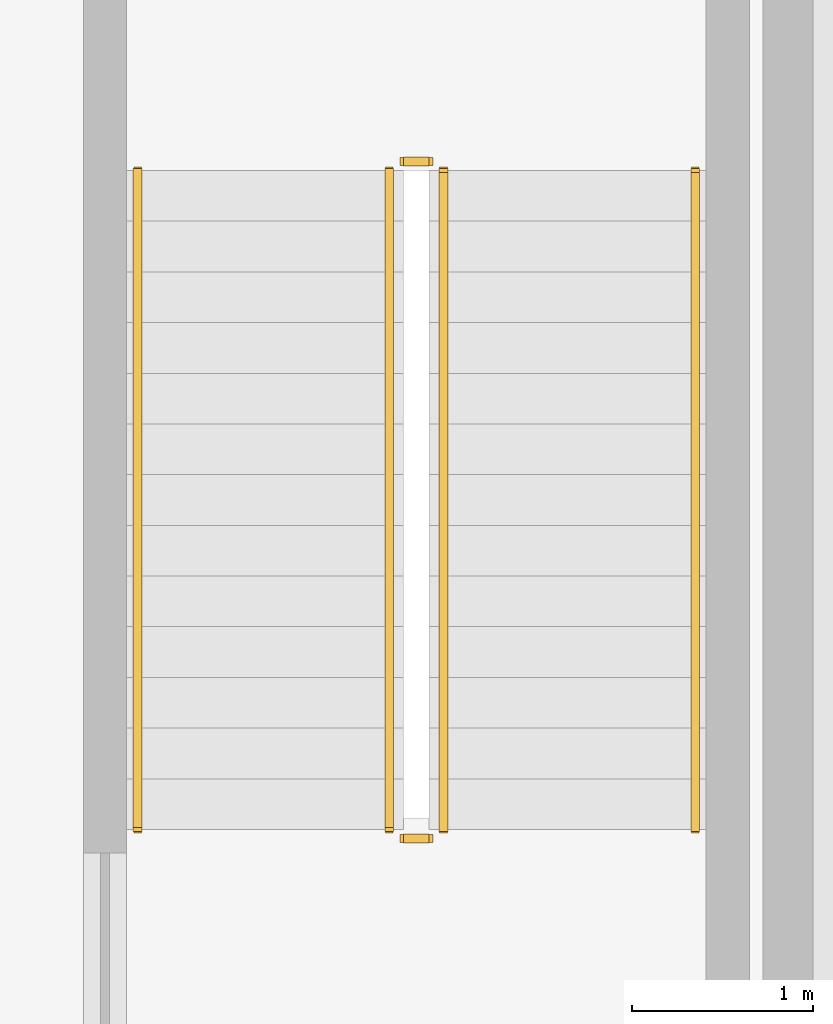
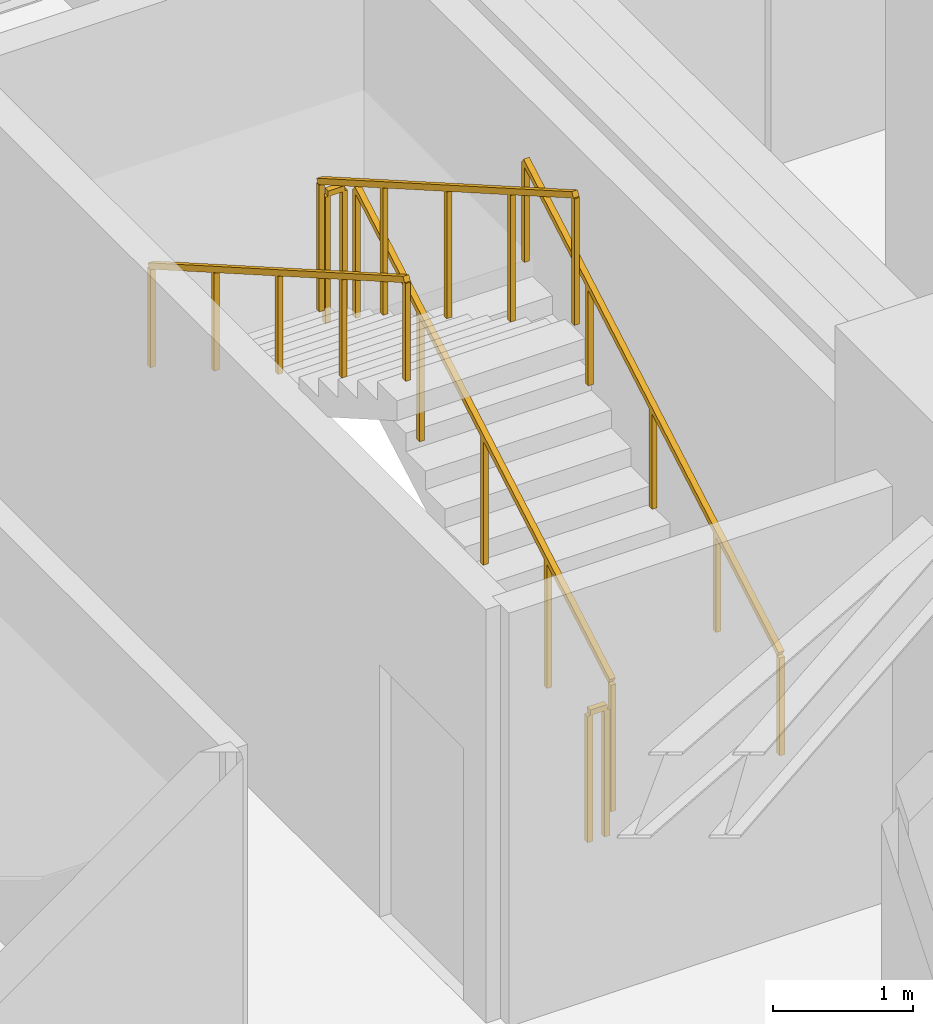
# One storey, part 15 of 19: 6 railings.
"""IFC4 building model written with IfcOpenShell, lengths in metres."""

from ifc_helpers import new_model, si_unit, direction, frame, origin, origin_2d, place, context, subcontext, project, spatial, rectangle, extrude, material, type_object, element, save


model = new_model("IFC4")

# Units and contexts
model_context = context("Model", 3, precision=1e-05, world=origin(), true_north=direction((0.0, 1.0)))
body_context = subcontext(model_context, "Body", "Model", "MODEL_VIEW")
ifc_project = project(units=[si_unit("LENGTHUNIT", "METRE"), si_unit("AREAUNIT", "SQUARE_METRE"), si_unit("VOLUMEUNIT", "CUBIC_METRE"), si_unit("PLANEANGLEUNIT", "RADIAN"), si_unit("MASSUNIT", "GRAM", prefix="KILO")], contexts=[model_context])

# Site, building, storey
site_placement = place(None, origin())
site = spatial("IfcSite", under=ifc_project, at=site_placement, CompositionType="ELEMENT")
building_placement = place(site_placement, origin())
building = spatial("IfcBuilding", under=site, at=building_placement, Name="Liaohun Quay Tower", CompositionType="ELEMENT")
storey_placement = place(building_placement, frame((0.0, 0.0, 18.89990234375)))
storey = spatial("IfcBuildingStorey", under=building, at=storey_placement, Name="L05", CompositionType="ELEMENT", Elevation=18.89990234375)

# Railings
ifc_material_1 = material(Name="Painted tubular steel", Category="steel")
railing_type_1 = type_object("IfcRailingType", Name="RLG-GUARD-STR", PredefinedType="GUARDRAIL", material=ifc_material_1)
railing_1_placement = place(storey_placement, frame((48.81005859375, 48.35009765625, 0.160888671875)))
element("IfcRailing", 1, at=railing_1_placement, inside=storey, type_object=railing_type_1, Name="L05 ST-1 stair guard 1", PredefinedType="GUARDRAIL", context=body_context, shape_type="SweptSolid", body=[
    extrude(rectangle(XDim=0.048095703125, YDim=0.048095703125, at=origin_2d()), frame((0.0, 0.0, 1.1259765625), z_axis=(0.0, 0.867300072446, 0.497785681127), x_axis=(-1.0, 0.0, 0.0)), (0.0, 0.0, 1.0), 4.19677734375),
    extrude(rectangle(XDim=0.0419921875, YDim=0.0419921875, at=origin_2d()), origin(), (0.0, 0.0, 1.0), 1.101806640625),
    extrude(rectangle(XDim=0.0419921875, YDim=0.0419921875, at=origin_2d()), frame((0.0, 0.909912109375, 0.522216796875)), (0.0, 0.0, 1.0), 1.101806640625),
    extrude(rectangle(XDim=0.0419921875, YDim=0.0419921875, at=origin_2d()), frame((0.0, 1.81982421875, 1.04443359375)), (0.0, 0.0, 1.0), 1.101806640625),
    extrude(rectangle(XDim=0.0419921875, YDim=0.0419921875, at=origin_2d()), frame((0.0, 2.72998046875, 1.56689453125)), (0.0, 0.0, 1.0), 1.101806640625),
    extrude(rectangle(XDim=0.0419921875, YDim=0.0419921875, at=origin_2d()), frame((0.0, 3.639892578125, 2.089111328125)), (0.0, 0.0, 1.0), 1.101806640625),
])
railing_2_placement = place(storey_placement, frame((48.72998046875, 52.0400390625, 2.25)))
element("IfcRailing", 2, at=railing_2_placement, inside=storey, type_object=railing_type_1, Name="L05 ST-1 stair guard 2", PredefinedType="GUARDRAIL", context=body_context, shape_type="SweptSolid", body=[
    extrude(rectangle(XDim=0.048095703125, YDim=0.048095703125, at=origin_2d()), frame((0.0, 0.0, 1.1259765625), z_axis=(-1.0, 0.0, 0.0), x_axis=(0.0, -1.0, 0.0)), (0.0, 0.0, 1.0), 0.139892578125),
    extrude(rectangle(XDim=0.0419921875, YDim=0.0419921875, at=origin_2d()), origin(), (0.0, 0.0, 1.0), 1.101806640625),
    extrude(rectangle(XDim=0.0419921875, YDim=0.0419921875, at=origin_2d()), frame((-0.139892578125, 0.0, 0.0)), (0.0, 0.0, 1.0), 1.101806640625),
])
railing_3_placement = place(storey_placement, frame((48.510009765625, 51.989990234375, 2.410888671875)))
element("IfcRailing", 3, at=railing_3_placement, inside=storey, type_object=railing_type_1, Name="L05 ST-1 stair guard 3", PredefinedType="GUARDRAIL", context=body_context, shape_type="SweptSolid", body=[
    extrude(rectangle(XDim=0.048095703125, YDim=0.048095703125, at=origin_2d()), frame((0.0, 0.0, 1.1259765625), z_axis=(0.0, -0.867300072446, 0.497785681127), x_axis=(1.0, 0.0, 0.0)), (0.0, 0.0, 1.0), 4.19677734375),
    extrude(rectangle(XDim=0.0419921875, YDim=0.0419921875, at=origin_2d()), origin(), (0.0, 0.0, 1.0), 1.101806640625),
    extrude(rectangle(XDim=0.0419921875, YDim=0.0419921875, at=origin_2d()), frame((0.0, -0.909912109375, 0.522216796875)), (0.0, 0.0, 1.0), 1.101806640625),
    extrude(rectangle(XDim=0.0419921875, YDim=0.0419921875, at=origin_2d()), frame((0.0, -1.81982421875, 1.04443359375)), (0.0, 0.0, 1.0), 1.101806640625),
    extrude(rectangle(XDim=0.0419921875, YDim=0.0419921875, at=origin_2d()), frame((0.0, -2.72998046875, 1.56689453125)), (0.0, 0.0, 1.0), 1.101806640625),
    extrude(rectangle(XDim=0.0419921875, YDim=0.0419921875, at=origin_2d()), frame((0.0, -3.639892578125, 2.089111328125)), (0.0, 0.0, 1.0), 1.101806640625),
])
railing_4_placement = place(storey_placement, frame((48.72998046875, 48.300048828125, 0.0)))
element("IfcRailing", 4, at=railing_4_placement, inside=storey, type_object=railing_type_1, Name="L05 ST-1 stair guard 4", PredefinedType="GUARDRAIL", context=body_context, shape_type="SweptSolid", body=[
    extrude(rectangle(XDim=0.048095703125, YDim=0.048095703125, at=origin_2d()), frame((0.0, 0.0, 1.1259765625), z_axis=(-1.0, 0.0, 0.0), x_axis=(0.0, -1.0, 0.0)), (0.0, 0.0, 1.0), 0.139892578125),
    extrude(rectangle(XDim=0.0419921875, YDim=0.0419921875, at=origin_2d()), origin(), (0.0, 0.0, 1.0), 1.101806640625),
    extrude(rectangle(XDim=0.0419921875, YDim=0.0419921875, at=origin_2d()), frame((-0.139892578125, 0.0, 0.0)), (0.0, 0.0, 1.0), 1.101806640625),
])
ifc_material_2 = material(Name="Brushed stainless steel", Category="steel")
railing_type_2 = type_object("IfcRailingType", Name="RLG-HND-STR", PredefinedType="HANDRAIL", material=ifc_material_2)
railing_5_placement = place(storey_placement, frame((50.199951171875, 48.35009765625, 0.160888671875)))
element("IfcRailing", 5, at=railing_5_placement, inside=storey, type_object=railing_type_2, Name="L05 ST-1 stair handrail 1", PredefinedType="HANDRAIL", context=body_context, shape_type="SweptSolid", body=[
    extrude(rectangle(XDim=0.048095703125, YDim=0.048095703125, at=origin_2d()), frame((0.0, 0.0, 0.8759765625), z_axis=(0.0, 0.867300072446, 0.497785681127), x_axis=(-1.0, 0.0, 0.0)), (0.0, 0.0, 1.0), 4.19677734375),
    extrude(rectangle(XDim=0.0419921875, YDim=0.0419921875, at=origin_2d()), origin(), (0.0, 0.0, 1.0), 0.851806640625),
    extrude(rectangle(XDim=0.0419921875, YDim=0.0419921875, at=origin_2d()), frame((0.0, 0.909912109375, 0.522216796875)), (0.0, 0.0, 1.0), 0.851806640625),
    extrude(rectangle(XDim=0.0419921875, YDim=0.0419921875, at=origin_2d()), frame((0.0, 1.81982421875, 1.04443359375)), (0.0, 0.0, 1.0), 0.851806640625),
    extrude(rectangle(XDim=0.0419921875, YDim=0.0419921875, at=origin_2d()), frame((0.0, 2.72998046875, 1.56689453125)), (0.0, 0.0, 1.0), 0.851806640625),
    extrude(rectangle(XDim=0.0419921875, YDim=0.0419921875, at=origin_2d()), frame((0.0, 3.639892578125, 2.089111328125)), (0.0, 0.0, 1.0), 0.851806640625),
])
railing_6_placement = place(storey_placement, frame((47.1201171875, 51.989990234375, 2.410888671875)))
element("IfcRailing", 6, at=railing_6_placement, inside=storey, type_object=railing_type_2, Name="L05 ST-1 stair handrail 2", PredefinedType="HANDRAIL", context=body_context, shape_type="SweptSolid", body=[
    extrude(rectangle(XDim=0.048095703125, YDim=0.048095703125, at=origin_2d()), frame((0.0, 0.0, 0.8759765625), z_axis=(0.0, -0.867300072446, 0.497785681127), x_axis=(1.0, 0.0, 0.0)), (0.0, 0.0, 1.0), 4.19677734375),
    extrude(rectangle(XDim=0.0419921875, YDim=0.0419921875, at=origin_2d()), origin(), (0.0, 0.0, 1.0), 0.851806640625),
    extrude(rectangle(XDim=0.0419921875, YDim=0.0419921875, at=origin_2d()), frame((0.0, -0.909912109375, 0.522216796875)), (0.0, 0.0, 1.0), 0.851806640625),
    extrude(rectangle(XDim=0.0419921875, YDim=0.0419921875, at=origin_2d()), frame((0.0, -1.81982421875, 1.04443359375)), (0.0, 0.0, 1.0), 0.851806640625),
    extrude(rectangle(XDim=0.0419921875, YDim=0.0419921875, at=origin_2d()), frame((0.0, -2.72998046875, 1.56689453125)), (0.0, 0.0, 1.0), 0.851806640625),
    extrude(rectangle(XDim=0.0419921875, YDim=0.0419921875, at=origin_2d()), frame((0.0, -3.639892578125, 2.089111328125)), (0.0, 0.0, 1.0), 0.851806640625),
])

save(model, "model.ifc")
